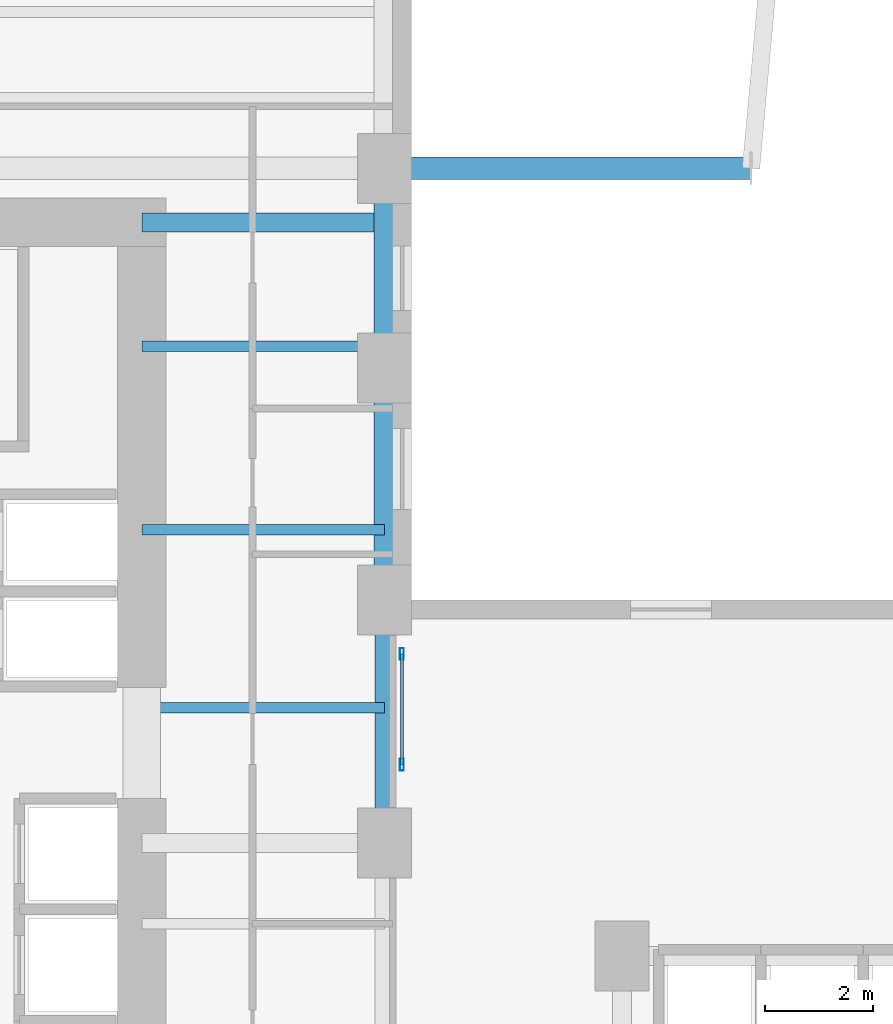
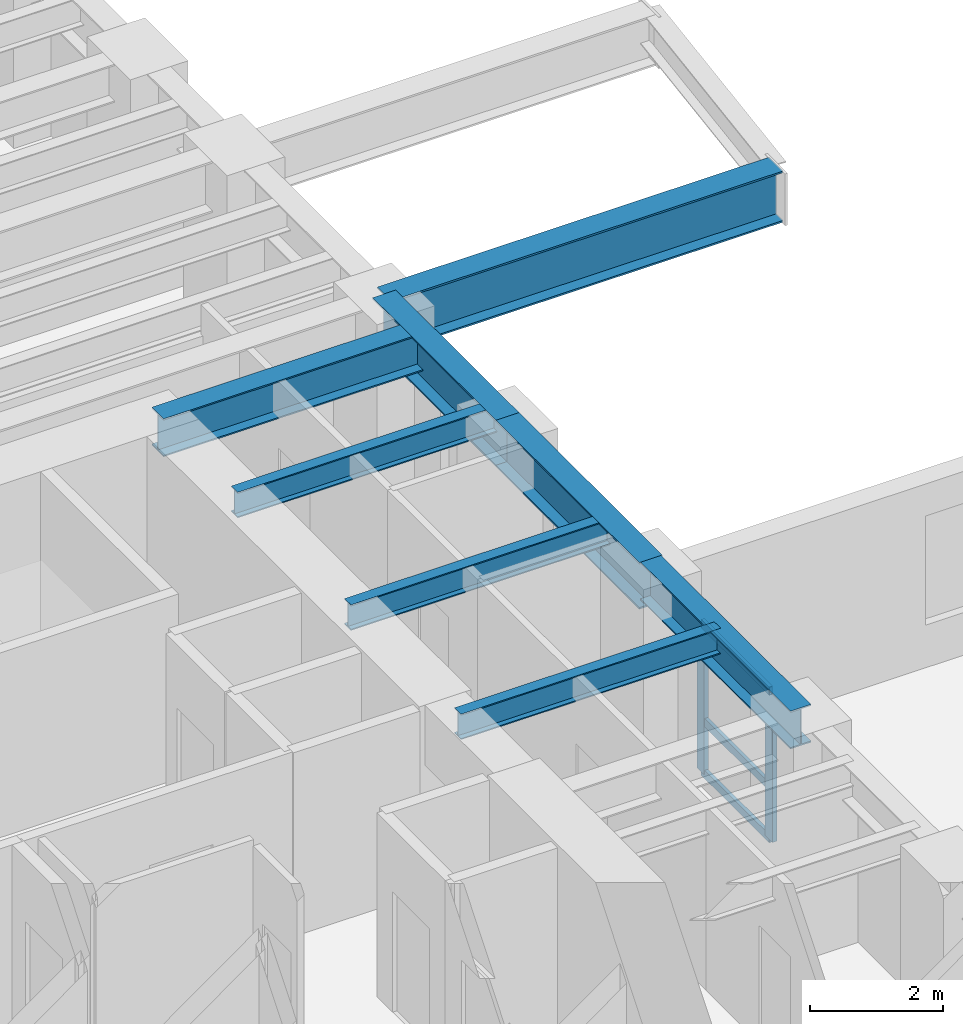
# One storey, part 2 of 13: 8 beams, 5 members, 1 element without a shape of its own.
"""IFC4 building model written with IfcOpenShell, lengths in metres."""

from ifc_helpers import new_model, si_unit, direction, frame, origin, origin_2d, place, context, subcontext, project, spatial, hollow_rectangle, i_section, extrude, source, transform, mapped, material, layer, layer_set, material_profile, profile_set, type_object, element, aggregate, save


model = new_model("IFC4")

# Units and contexts
model_context = context("Model", 3, precision=1e-05, world=origin(), true_north=direction((0.0, 1.0)))
body_context = subcontext(model_context, "Body", "Model", "MODEL_VIEW")
ifc_project = project(units=[si_unit("LENGTHUNIT", "METRE"), si_unit("AREAUNIT", "SQUARE_METRE"), si_unit("VOLUMEUNIT", "CUBIC_METRE"), si_unit("PLANEANGLEUNIT", "RADIAN"), si_unit("MASSUNIT", "GRAM", prefix="KILO")], contexts=[model_context])

# Site, building, storey
site_placement = place(None, origin())
site = spatial("IfcSite", under=ifc_project, at=site_placement, CompositionType="ELEMENT")
building_placement = place(site_placement, origin())
building = spatial("IfcBuilding", under=site, at=building_placement, Name="Kharzan Plaza Tower", CompositionType="ELEMENT")
storey_placement = place(building_placement, frame((0.0, 0.0, 65.699951171875)))
storey = spatial("IfcBuildingStorey", under=building, at=storey_placement, Name="L17", CompositionType="ELEMENT", Elevation=65.699951171875)

# Beams
ifc_material_1 = material(Name="Steel S355", Category="steel")
ifc_material_profile_1 = material_profile(ifc_material_1, i_section(OverallWidth=0.35498046875, OverallDepth=0.695068359375, WebThickness=0.015380859375, FlangeThickness=0.02490234375, at=origin_2d()), Name="W690x217")
ifc_profile_set_1 = profile_set([ifc_material_profile_1], Name="Steel S355")
beam_type_1 = type_object("IfcBeamType", Name="BM-FG690A", PredefinedType="BEAM", material=ifc_profile_set_1)
shared_shape_1 = source(origin(), body_context, "Body", "SweptSolid", [
    extrude(i_section(OverallWidth=0.35498046875, OverallDepth=0.695068359375, WebThickness=0.015380859375, FlangeThickness=0.02490234375, at=origin_2d()), origin(), (0.0, 0.0, 1.0), 4.5),
])
for number, where, z_axis, x_axis, name in (
    (1, (14.5, 29.5, 3.032470703125), (1.0, 0.0, 0.0), (0.0, 1.0, 0.0), "L17 Core-A East Floor Girder 3"),
    (2, (19.0, 18.0, 3.032470703125), (0.0, 1.0, 0.0), (-1.0, 0.0, 0.0), "L17 Interior Frame Girder"),
):
    element("IfcBeam", number, at=place(storey_placement, frame(where, z_axis=z_axis, x_axis=x_axis)), inside=storey, type_object=beam_type_1, Name=name, PredefinedType="BEAM", context=body_context, shape_type="MappedRepresentation", body=[
        mapped(shared_shape_1, transform((0.0, 0.0, 0.0), x_axis=(1.0, 0.0, 0.0), y_axis=(0.0, 1.0, 0.0), z_axis=(0.0, 0.0, 1.0))),
    ])
ifc_material_profile_2 = material_profile(ifc_material_1, i_section(OverallWidth=0.194091796875, OverallDepth=0.468994140625, WebThickness=0.011474609375, FlangeThickness=0.0205078125, at=origin_2d()), Name="W460x106")
ifc_profile_set_2 = profile_set([ifc_material_profile_2], Name="Steel S355")
beam_type_2 = type_object("IfcBeamType", Name="BM-JST460", PredefinedType="JOIST", material=ifc_profile_set_2)
shared_shape_2 = source(origin(), body_context, "Body", "SweptSolid", [
    extrude(i_section(OverallWidth=0.194091796875, OverallDepth=0.468994140625, WebThickness=0.011474609375, FlangeThickness=0.0205078125, at=origin_2d()), origin(), (0.0, 0.0, 1.0), 4.5),
])
for number, where, z_axis, x_axis, name in (
    (3, (14.5, 20.5, 3.1455078125), (1.0, 0.0, 0.0), (0.0, 1.0, 0.0), "L17 Wing A East Infill Joist 4"),
    (4, (14.5, 23.800048828125, 3.1455078125), (1.0, 0.0, 0.0), (0.0, 1.0, 0.0), "L17 Wing A East Infill Joist 5"),
    (5, (14.5, 27.199951171875, 3.1455078125), (1.0, 0.0, 0.0), (0.0, 1.0, 0.0), "L17 Wing A East Infill Joist 6"),
):
    element("IfcBeam", number, at=place(storey_placement, frame(where, z_axis=z_axis, x_axis=x_axis)), inside=storey, type_object=beam_type_2, Name=name, PredefinedType="JOIST", context=body_context, shape_type="MappedRepresentation", body=[
        mapped(shared_shape_2, transform((0.0, 0.0, 0.0), x_axis=(1.0, 0.0, 0.0), y_axis=(0.0, 1.0, 0.0), z_axis=(0.0, 0.0, 1.0))),
    ])
ifc_material_profile_3 = material_profile(ifc_material_1, i_section(OverallWidth=0.40087890625, OverallDepth=0.85498046875, WebThickness=0.018310546875, FlangeThickness=0.029296875, at=origin_2d()), Name="W840x299")
ifc_profile_set_3 = profile_set([ifc_material_profile_3], Name="Steel S355")
beam_type_3 = type_object("IfcBeamType", Name="BM-SP840A", PredefinedType="SPANDREL", material=ifc_profile_set_3)
shared_shape_3 = source(origin(), body_context, "Body", "SweptSolid", [
    extrude(i_section(OverallWidth=0.40087890625, OverallDepth=0.85498046875, WebThickness=0.018310546875, FlangeThickness=0.029296875, at=origin_2d()), origin(), (0.0, 0.0, 1.0), 4.300048828125),
])
beam_1_placement = place(storey_placement, frame((19.0, 22.5, 2.95263671875), z_axis=(0.0, 1.0, 0.0), x_axis=(-1.0, 0.0, 0.0)))
element("IfcBeam", 6, at=beam_1_placement, inside=storey, type_object=beam_type_3, Name="L17 Perimeter Tube Spandrel", PredefinedType="SPANDREL", context=body_context, shape_type="MappedRepresentation", body=[
    mapped(shared_shape_3, transform((0.0, 0.0, 0.0), x_axis=(1.0, 0.0, 0.0), y_axis=(0.0, 1.0, 0.0), z_axis=(0.0, 0.0, 1.0))),
])
shared_shape_4 = source(origin(), body_context, "Body", "SweptSolid", [
    extrude(i_section(OverallWidth=0.40087890625, OverallDepth=0.85498046875, WebThickness=0.018310546875, FlangeThickness=0.029296875, at=origin_2d()), origin(), (0.0, 0.0, 1.0), 3.699951171875),
])
beam_2_placement = place(storey_placement, frame((19.0, 26.800048828125, 2.95263671875), z_axis=(0.0, 1.0, 0.0), x_axis=(-1.0, 0.0, 0.0)))
element("IfcBeam", 7, at=beam_2_placement, inside=storey, type_object=beam_type_3, Name="L17 Perimeter Tube Spandrel", PredefinedType="SPANDREL", context=body_context, shape_type="MappedRepresentation", body=[
    mapped(shared_shape_4, transform((0.0, 0.0, 0.0), x_axis=(1.0, 0.0, 0.0), y_axis=(0.0, 1.0, 0.0), z_axis=(0.0, 0.0, 1.0))),
])
ifc_material_profile_4 = material_profile(ifc_material_1, i_section(OverallWidth=0.41796875, OverallDepth=0.93701171875, WebThickness=0.019287109375, FlangeThickness=0.031982421875, at=origin_2d()), Name="W920x342")
ifc_profile_set_4 = profile_set([ifc_material_profile_4], Name="Steel S355")
beam_type_4 = type_object("IfcBeamType", Name="BM-ZTG920", PredefinedType="BEAM", material=ifc_profile_set_4)
shared_shape_5 = source(origin(), body_context, "Body", "SweptSolid", [
    extrude(i_section(OverallWidth=0.41796875, OverallDepth=0.93701171875, WebThickness=0.019287109375, FlangeThickness=0.031982421875, at=origin_2d()), origin(), (0.0, 0.0, 1.0), 6.7900390625),
])
beam_3_placement = place(storey_placement, frame((19.0, 30.5, 2.91162109375), z_axis=(1.0, 0.0, 0.0), x_axis=(0.0, 1.0, 0.0)))
element("IfcBeam", 8, at=beam_3_placement, inside=storey, type_object=beam_type_4, Name="L17 Sky-Terrace Cantilever Girder ZTG1 (L18 G1)", PredefinedType="BEAM", context=body_context, shape_type="MappedRepresentation", body=[
    mapped(shared_shape_5, transform((0.0, 0.0, 0.0), x_axis=(1.0, 0.0, 0.0), y_axis=(0.0, 1.0, 0.0), z_axis=(0.0, 0.0, 1.0))),
])

# Curtain wall, members
ifc_material_2 = material(Name="Unitised Bronze-Anodized Aluminium and Low-E Glass", Category="aluminium")
ifc_layer = layer(ifc_material_2, 0.199951171875)
ifc_layer_set = layer_set([ifc_layer], Name="Unitised Bronze-Anodized Aluminium and Low-E Glass")
curtain_wall_type = type_object("IfcCurtainWallType", Name="CW-SLOT-3", PredefinedType="NOTDEFINED", material=ifc_layer_set)
curtain_wall_placement = place(storey_placement, origin())
curtain_wall = element("IfcCurtainWall", 9, at=curtain_wall_placement, inside=storey, type_object=curtain_wall_type, Name="L17 West Slot Recessed Spine Curtain Wall", PredefinedType="NOTDEFINED")
ifc_material_3 = material(Name="Anodized Bronze Aluminium", Category="aluminium")
ifc_material_profile_5 = material_profile(ifc_material_3, hollow_rectangle(XDim=0.074951171875, YDim=0.219970703125, WallThickness=0.00390625, at=origin_2d()), Name="ALU-M220x75x4")
ifc_profile_set_5 = profile_set([ifc_material_profile_5], Name="Anodized Bronze Aluminium")
member_type_1 = type_object("IfcMemberType", Name="MEM-CW-MUL200", PredefinedType="MULLION", material=ifc_profile_set_5)
shared_shape_6 = source(origin(), body_context, "Body", "SweptSolid", [
    extrude(hollow_rectangle(XDim=0.074951171875, YDim=0.219970703125, WallThickness=0.00390625, at=origin_2d()), origin(), (0.0, 0.0, 1.0), 2.699951171875),
])
member_1_placement = place(storey_placement, frame((19.320068359375, 19.449951171875, 0.0), z_axis=(0.0, 0.0, 1.0), x_axis=(1.0, 0.0, 0.0)))
member_1 = element("IfcMember", 10, at=member_1_placement, type_object=member_type_1, Name="L17 Curtain-Wall Mullion 00", PredefinedType="MULLION", context=body_context, shape_type="MappedRepresentation", body=[
    mapped(shared_shape_6, transform((0.0, 0.0, 0.0), x_axis=(1.0, 0.0, 0.0), y_axis=(0.0, 1.0, 0.0), z_axis=(0.0, 0.0, 1.0))),
])
member_2_placement = place(storey_placement, frame((19.320068359375, 21.5, 0.0), z_axis=(0.0, 0.0, 1.0), x_axis=(1.0, 0.0, 0.0)))
member_2 = element("IfcMember", 11, at=member_2_placement, type_object=member_type_1, Name="L17 Curtain-Wall Mullion 01", PredefinedType="MULLION", context=body_context, shape_type="MappedRepresentation", body=[
    mapped(shared_shape_6, transform((0.0, 0.0, 0.0), x_axis=(1.0, 0.0, 0.0), y_axis=(0.0, 1.0, 0.0), z_axis=(0.0, 0.0, 1.0))),
])
ifc_material_profile_6 = material_profile(ifc_material_3, hollow_rectangle(XDim=0.06005859375, YDim=0.14990234375, WallThickness=0.00341796875, at=origin_2d()), Name="ALU-T150x60x3.5")
ifc_profile_set_6 = profile_set([ifc_material_profile_6], Name="Anodized Bronze Aluminium")
member_type_2 = type_object("IfcMemberType", Name="MEM-CW-TRN150", PredefinedType="USERDEFINED", material=ifc_profile_set_6)
shared_shape_7 = source(origin(), body_context, "Body", "SweptSolid", [
    extrude(hollow_rectangle(XDim=0.06005859375, YDim=0.14990234375, WallThickness=0.00341796875, at=origin_2d()), origin(), (0.0, 0.0, 1.0), 2.050048828125),
])
member_3_placement = place(storey_placement, frame((19.320068359375, 19.449951171875, 0.0), z_axis=(0.0, 1.0, 0.0), x_axis=(-1.0, 0.0, 0.0)))
member_3 = element("IfcMember", 12, at=member_3_placement, type_object=member_type_2, Name="L17 Curtain-Wall Transom 1", ObjectType="TRANSOM", PredefinedType="USERDEFINED", context=body_context, shape_type="MappedRepresentation", body=[
    mapped(shared_shape_7, transform((0.0, 0.0, 0.0), x_axis=(1.0, 0.0, 0.0), y_axis=(0.0, 1.0, 0.0), z_axis=(0.0, 0.0, 1.0))),
])
member_4_placement = place(storey_placement, frame((19.320068359375, 19.449951171875, 0.949951171875), z_axis=(0.0, 1.0, 0.0), x_axis=(-1.0, 0.0, 0.0)))
member_4 = element("IfcMember", 13, at=member_4_placement, type_object=member_type_2, Name="L17 Curtain-Wall Transom 2", ObjectType="TRANSOM", PredefinedType="USERDEFINED", context=body_context, shape_type="MappedRepresentation", body=[
    mapped(shared_shape_7, transform((0.0, 0.0, 0.0), x_axis=(1.0, 0.0, 0.0), y_axis=(0.0, 1.0, 0.0), z_axis=(0.0, 0.0, 1.0))),
])
member_5_placement = place(storey_placement, frame((19.320068359375, 19.449951171875, 2.699951171875), z_axis=(0.0, 1.0, 0.0), x_axis=(-1.0, 0.0, 0.0)))
member_5 = element("IfcMember", 14, at=member_5_placement, type_object=member_type_2, Name="L17 Curtain-Wall Transom 3", ObjectType="TRANSOM", PredefinedType="USERDEFINED", context=body_context, shape_type="MappedRepresentation", body=[
    mapped(shared_shape_7, transform((0.0, 0.0, 0.0), x_axis=(1.0, 0.0, 0.0), y_axis=(0.0, 1.0, 0.0), z_axis=(0.0, 0.0, 1.0))),
])
aggregate(curtain_wall, [member_1, member_2, member_3, member_4, member_5])

save(model, "model.ifc")
